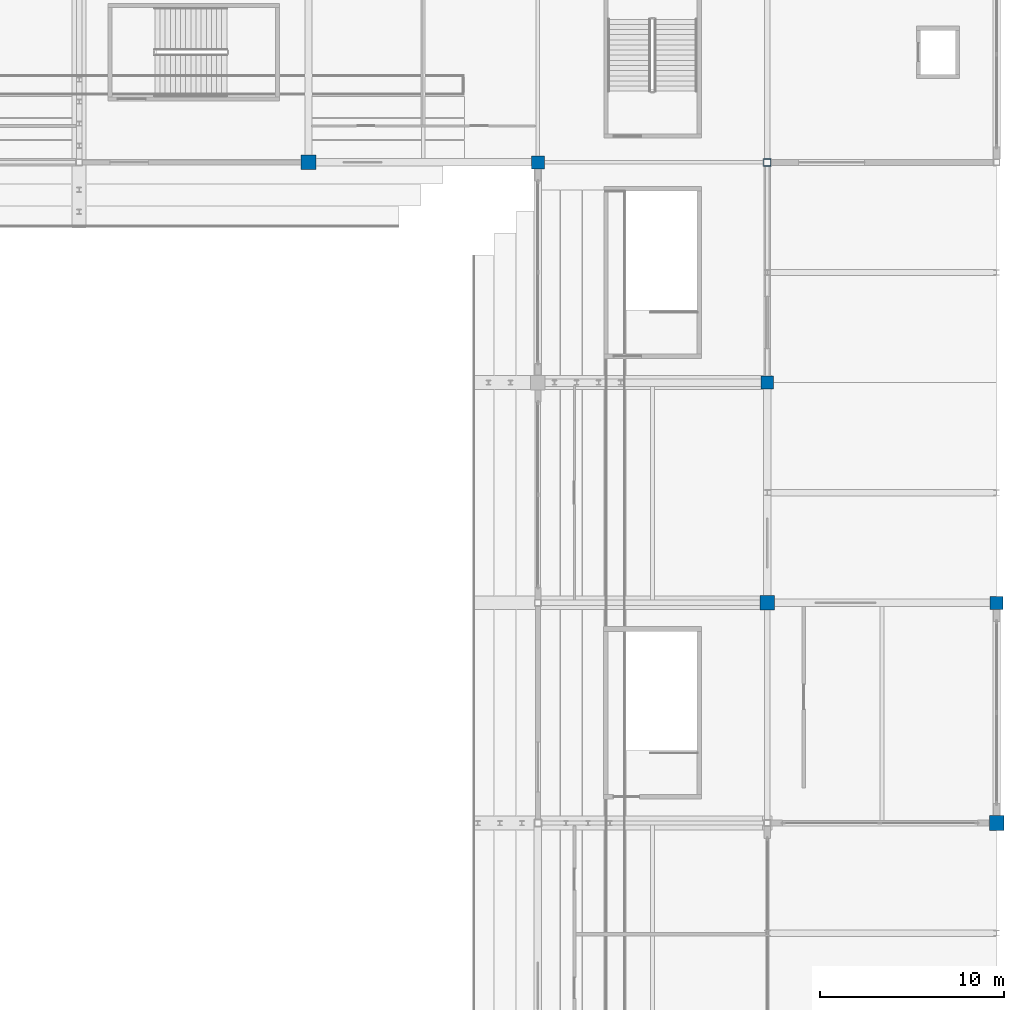
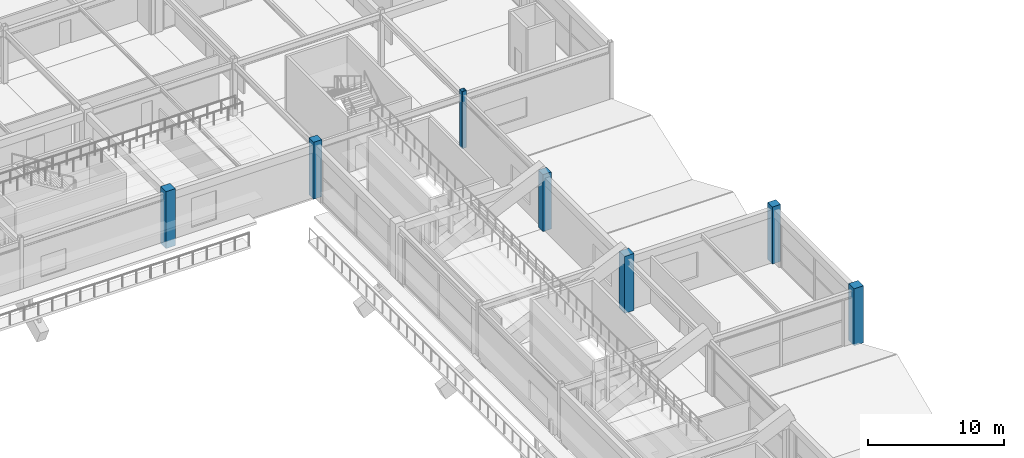
# One storey, part 17 of 128: 7 columns.
"""IFC4 building model written with IfcOpenShell, lengths in metres."""

from ifc_helpers import new_model, si_unit, direction, frame, origin, origin_2d, place, context, subcontext, project, spatial, rectangle, hollow_rectangle, extrude, material, material_profile, profile_set, type_object, element, save


model = new_model("IFC4")

# Units and contexts
model_context = context("Model", 3, precision=1e-05, world=origin(), true_north=direction((0.0, 1.0)))
body_context = subcontext(model_context, "Body", "Model", "MODEL_VIEW")
ifc_project = project(units=[si_unit("LENGTHUNIT", "METRE"), si_unit("AREAUNIT", "SQUARE_METRE"), si_unit("VOLUMEUNIT", "CUBIC_METRE"), si_unit("PLANEANGLEUNIT", "RADIAN"), si_unit("MASSUNIT", "GRAM", prefix="KILO")], contexts=[model_context])

# Site, building, storey
site_placement = place(None, origin())
site = spatial("IfcSite", under=ifc_project, at=site_placement, CompositionType="ELEMENT")
building_placement = place(site_placement, origin())
building = spatial("IfcBuilding", under=site, at=building_placement, Name="Kazenohara Klinker Stadium", CompositionType="ELEMENT")
storey_placement = place(building_placement, frame((0.0, 0.0, 15.300048828125)))
storey = spatial("IfcBuildingStorey", under=building, at=storey_placement, Name="L03", CompositionType="ELEMENT", Elevation=15.300048828125)

# Columns
ifc_material_1 = material(Name="Concrete C40/50", Category="concrete")
ifc_material_profile_1 = material_profile(ifc_material_1, rectangle(XDim=0.800048828125, YDim=0.800048828125, at=origin_2d()), Name="RC-COL-800x800")
ifc_profile_set_1 = profile_set([ifc_material_profile_1], Name="Concrete C40/50")
column_type_1 = type_object("IfcColumnType", Name="COL-RC05", PredefinedType="COLUMN", material=ifc_profile_set_1)
for number, where, z_axis, x_axis, name in (
    (1, (162.5, 132.0, 0.0), (0.0, 0.0, 1.0), (1.0, 0.0, 0.0), "Column C05 L03 14/M"),
    (2, (187.5, 108.0, 0.0), (0.0, 0.0, 1.0), (1.0, 0.0, 0.0), "Column C05 L03 16/K"),
    (3, (200.0, 96.0, 0.0), (0.0, 0.0, 1.0), (1.0, 0.0, 0.0), "Column C05 L03 17/J"),
):
    element("IfcColumn", number, at=place(storey_placement, frame(where, z_axis=z_axis, x_axis=x_axis)), inside=storey, type_object=column_type_1, Name=name, PredefinedType="COLUMN", context=body_context, shape_type="SweptSolid", body=[
        extrude(rectangle(XDim=0.800048828125, YDim=0.800048828125, at=origin_2d()), origin(), (0.0, 0.0, 1.0), 5.099853515625),
    ])
ifc_material_profile_2 = material_profile(ifc_material_1, rectangle(XDim=0.699951171875, YDim=0.699951171875, at=origin_2d()), Name="RC-COL-700x700")
ifc_profile_set_2 = profile_set([ifc_material_profile_2], Name="Concrete C40/50")
column_type_2 = type_object("IfcColumnType", Name="COL-RC06", PredefinedType="COLUMN", material=ifc_profile_set_2)
for number, where, z_axis, x_axis, name in (
    (4, (175.0, 132.0, 0.0), (0.0, 0.0, 1.0), (1.0, 0.0, 0.0), "Column C06 L03 15/M"),
    (5, (187.5, 120.0, 0.0), (0.0, 0.0, 1.0), (1.0, 0.0, 0.0), "Column C06 L03 16/L"),
    (6, (200.0, 108.0, 0.0), (0.0, 0.0, 1.0), (1.0, 0.0, 0.0), "Column C06 L03 17/K"),
):
    element("IfcColumn", number, at=place(storey_placement, frame(where, z_axis=z_axis, x_axis=x_axis)), inside=storey, type_object=column_type_2, Name=name, PredefinedType="COLUMN", context=body_context, shape_type="SweptSolid", body=[
        extrude(rectangle(XDim=0.699951171875, YDim=0.699951171875, at=origin_2d()), origin(), (0.0, 0.0, 1.0), 5.099853515625),
    ])
ifc_material_2 = material(Name="Steel S355", Category="steel")
ifc_material_profile_3 = material_profile(ifc_material_2, hollow_rectangle(XDim=0.39990234375, YDim=0.39990234375, WallThickness=0.01611328125, InnerFilletRadius=0.01611328125, OuterFilletRadius=0.031982421875, at=origin_2d()), Name="SHS-400x400x16")
ifc_profile_set_3 = profile_set([ifc_material_profile_3], Name="Steel S355")
column_type_3 = type_object("IfcColumnType", Name="COL-ST01", PredefinedType="COLUMN", material=ifc_profile_set_3)
column_placement = place(storey_placement, frame((187.5, 132.0, 0.0), z_axis=(0.0, 0.0, 1.0), x_axis=(1.0, 0.0, 0.0)))
element("IfcColumn", 7, at=column_placement, inside=storey, type_object=column_type_3, Name="Column SC01 L03 16/M", PredefinedType="COLUMN", context=body_context, shape_type="SweptSolid", body=[
    extrude(hollow_rectangle(XDim=0.39990234375, YDim=0.39990234375, WallThickness=0.01611328125, InnerFilletRadius=0.01611328125, OuterFilletRadius=0.031982421875, at=origin_2d()), origin(), (0.0, 0.0, 1.0), 5.099853515625),
])

save(model, "model.ifc")
